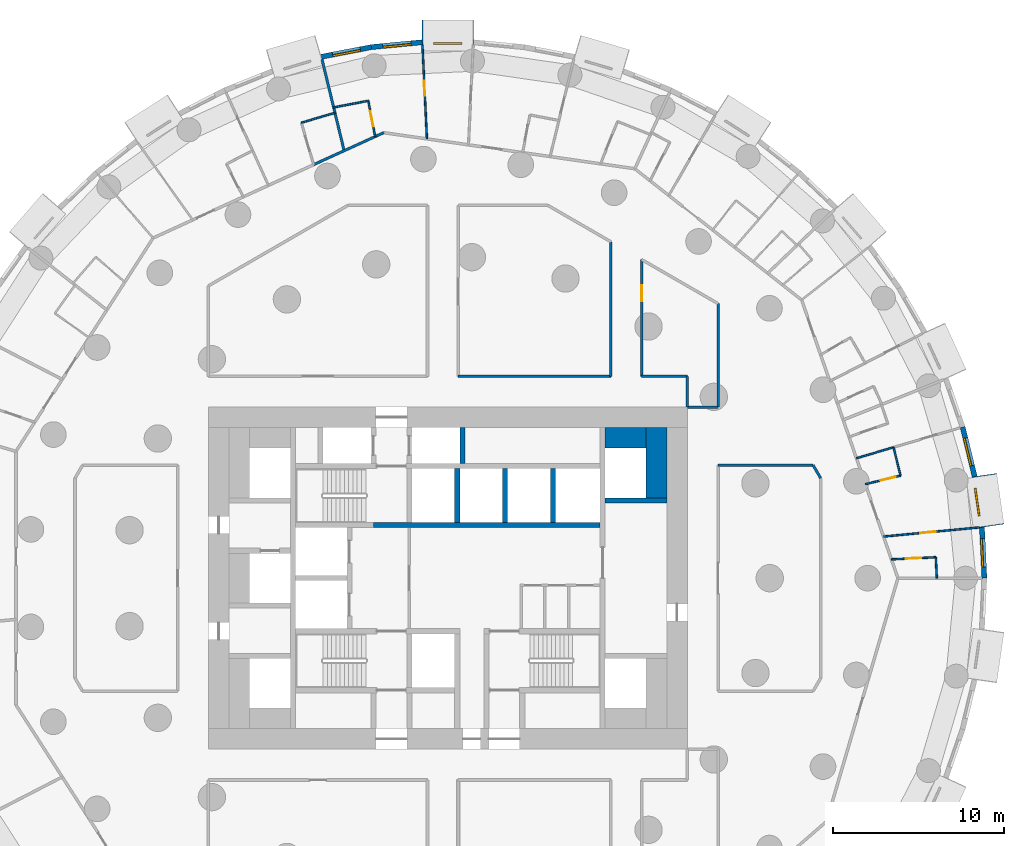
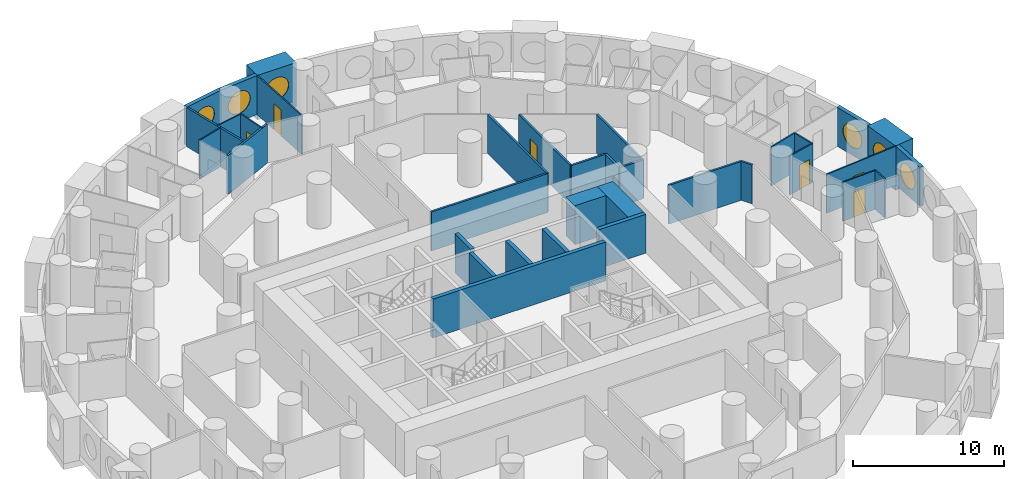
# One storey, part 8 of 12: 35 walls, 6 doors, 6 windows, 12 openings.
"""IFC4 building model written with IfcOpenShell, lengths in metres."""

from ifc_helpers import new_model, si_unit, direction, frame, frame_2d, origin, origin_2d, place, context, subcontext, project, spatial, rectangle, circle, extrude, material, layer, layer_set, type_object, element, fill, save


model = new_model("IFC4")

# Units and contexts
model_context = context("Model", 3, precision=1e-05, world=origin(), true_north=direction((0.0, 1.0)))
body_context = subcontext(model_context, "Body", "Model", "MODEL_VIEW")
ifc_project = project(units=[si_unit("LENGTHUNIT", "METRE"), si_unit("AREAUNIT", "SQUARE_METRE"), si_unit("VOLUMEUNIT", "CUBIC_METRE"), si_unit("PLANEANGLEUNIT", "RADIAN"), si_unit("MASSUNIT", "GRAM", prefix="KILO")], contexts=[model_context])

# Site, building, storey
site_placement = place(None, origin())
site = spatial("IfcSite", under=ifc_project, at=site_placement, CompositionType="ELEMENT")
building_placement = place(site_placement, origin())
building = spatial("IfcBuilding", under=site, at=building_placement, Name="Tracery Tower", CompositionType="ELEMENT")
storey_placement = place(building_placement, frame((0.0, 0.0, 46.199951171875)))
storey = spatial("IfcBuildingStorey", under=building, at=storey_placement, Name="L10", CompositionType="ELEMENT", Elevation=46.199951171875)

# Walls
ifc_material_1 = material(Name="Concrete C60/75", Category="concrete")
ifc_layer_1 = layer(ifc_material_1, 1.199951171875)
ifc_layer_set_1 = layer_set([ifc_layer_1], Name="Core strip wall 1200 C60")
wall_type_1 = type_object("IfcWallType", Name="Core strip wall 1200 C60", PredefinedType="SOLIDWALL", material=ifc_layer_set_1)
wall_1_placement = place(storey_placement, frame((12.199951171875, 4.699951171875, 0.0), z_axis=(0.0, 0.0, 1.0), x_axis=(0.0, 1.0, 0.0)))
element("IfcWall", 1, at=wall_1_placement, inside=storey, type_object=wall_type_1, Name="L10 wing strip +1 4.55", PredefinedType="SOLIDWALL", context=body_context, shape_type="SweptSolid", body=[
    extrude(rectangle(XDim=4.10009765625, YDim=1.199951171875, at=frame_2d((2.050048828125, 0.0))), origin(), (0.0, 0.0, 1.0), 3.150146484375),
])
wall_2_placement = place(storey_placement, frame((9.199951171875, 8.199951171875, 0.0), z_axis=(0.0, 0.0, 1.0), x_axis=(1.0, 0.0, 0.0)))
element("IfcWall", 2, at=wall_2_placement, inside=storey, type_object=wall_type_1, Name="L10 wing corner +1 +8.2", PredefinedType="SOLIDWALL", context=body_context, shape_type="SweptSolid", body=[
    extrude(rectangle(XDim=2.400146484375, YDim=1.199951171875, at=frame_2d((1.2001953125, 0.0))), origin(), (0.0, 0.0, 1.0), 3.150146484375),
])

# Wall, opening, window
ifc_material_2 = material(Name="Precast concrete C50/60", Category="concrete")
ifc_layer_2 = layer(ifc_material_2, 1.449951171875)
ifc_layer_set_2 = layer_set([ifc_layer_2], Name="Deep-set bay unit 3000 x 3600, slab edge 450")
wall_type_2 = type_object("IfcWallType", Name="Deep-set bay unit 3000 x 3600, slab edge 450", PredefinedType="ELEMENTEDWALL", material=ifc_layer_set_2)
wall_3_placement = place(storey_placement, frame((31.802490234375, 3.05712890625, -0.449951171875), z_axis=(0.0, 0.0, 1.0), x_axis=(-0.142332746704, 0.989818866872, 0.0)))
wall_3 = element("IfcWall", 3, at=wall_3_placement, inside=storey, type_object=wall_type_2, Name="Deep-set bay unit 2 at L10", PredefinedType="ELEMENTEDWALL", context=body_context, shape_type="SweptSolid", body=[
    extrude(rectangle(XDim=3.0, YDim=1.449951171875, at=frame_2d((1.5, 0.0))), origin(), (0.0, 0.0, 1.0), 3.60009765625),
])
opening_1_placement = place(wall_3_placement, frame((1.5, 0.0, 2.0)))
opening_1 = element("IfcOpeningElement", 4, at=opening_1_placement, cuts=wall_3, Name="Opening WN1", PredefinedType="OPENING", context=body_context, shape_type="SweptSolid", body=[
    extrude(circle(Radius=0.9000244140625, at=origin_2d()), frame((0.0, 0.73486328125, 0.0), z_axis=(0.0, -1.0, 0.0), x_axis=(1.0, 0.0, 0.0)), (0.0, 0.0, 1.0), 1.469970703125),
])
ifc_material_3 = material(Name="Aluminium frame with tinted double glazing", Category="aluminium")
window_type = type_object("IfcWindowType", Name="Round window 1800", PartitioningType="SINGLE_PANEL", PredefinedType="WINDOW", material=ifc_material_3)
window_1_placement = place(opening_1_placement, origin())
window_1 = element("IfcWindow", 5, at=window_1_placement, inside=storey, type_object=window_type, Name="Round window 2 at L10", OverallHeight=1.800048828125, OverallWidth=1.800048828125, PartitioningType="SINGLE_PANEL", PredefinedType="WINDOW", context=body_context, shape_type="SweptSolid", body=[
    extrude(circle(Radius=0.9000244140625, at=origin_2d()), frame((0.0, 0.69482421875, 0.0), z_axis=(0.0, -1.0, 0.0), x_axis=(1.0, 0.0, 0.0)), (0.0, 0.0, 1.0), 0.10009765625),
])
fill(opening_1, window_1)

wall_4_placement = place(storey_placement, frame((1.5, 31.913818359375, -0.449951171875), z_axis=(0.0, 0.0, 1.0), x_axis=(-1.0, 0.0, 0.0)))
wall_4 = element("IfcWall", 6, at=wall_4_placement, inside=storey, type_object=wall_type_2, Name="Deep-set bay unit 17 at L10", PredefinedType="ELEMENTEDWALL", context=body_context, shape_type="SweptSolid", body=[
    extrude(rectangle(XDim=3.0, YDim=1.449951171875, at=frame_2d((1.5, 0.0))), origin(), (0.0, 0.0, 1.0), 3.60009765625),
])
opening_2_placement = place(wall_4_placement, frame((1.5, 0.0, 2.0)))
opening_2 = element("IfcOpeningElement", 7, at=opening_2_placement, cuts=wall_4, Name="Opening WN1", PredefinedType="OPENING", context=body_context, shape_type="SweptSolid", body=[
    extrude(circle(Radius=0.9000244140625, at=origin_2d()), frame((0.0, 0.73486328125, 0.0), z_axis=(0.0, -1.0, 0.0), x_axis=(1.0, 0.0, 0.0)), (0.0, 0.0, 1.0), 1.469970703125),
])
window_2_placement = place(opening_2_placement, origin())
window_2 = element("IfcWindow", 8, at=window_2_placement, inside=storey, type_object=window_type, Name="Round window 17 at L10", OverallHeight=1.800048828125, OverallWidth=1.800048828125, PartitioningType="SINGLE_PANEL", PredefinedType="WINDOW", context=body_context, shape_type="SweptSolid", body=[
    extrude(circle(Radius=0.9000244140625, at=origin_2d()), frame((0.0, 0.69482421875, 0.0), z_axis=(0.0, -1.0, 0.0), x_axis=(1.0, 0.0, 0.0)), (0.0, 0.0, 1.0), 0.10009765625),
])
fill(opening_2, window_2)

ifc_material_4 = material(Name="Precast concrete C50/60", Category="concrete")
ifc_layer_3 = layer(ifc_material_4, 0.300048828125)
ifc_layer_set_3 = layer_set([ifc_layer_3], Name="Facade panel 3000 x 3150")
wall_type_3 = type_object("IfcWallType", Name="Facade panel 3000 x 3150", PredefinedType="SOLIDWALL", material=ifc_layer_set_3)
wall_5_placement = place(storey_placement, frame((31.37451171875, 0.0, 0.0), z_axis=(0.0, 0.0, 1.0), x_axis=(-0.047604077644, 0.998866283239, 0.0)))
wall_5 = element("IfcWall", 9, at=wall_5_placement, inside=storey, type_object=wall_type_3, Name="Facade panel 1 at L10", PredefinedType="SOLIDWALL", context=body_context, shape_type="SweptSolid", body=[
    extrude(rectangle(XDim=2.979736328125, YDim=0.300048828125, at=frame_2d((1.48974609375, 0.0))), origin(), (0.0, 0.0, 1.0), 3.150146484375),
])
opening_3_placement = place(wall_5_placement, frame((1.48974609375, 0.0, 1.5498046875)))
opening_3 = element("IfcOpeningElement", 10, at=opening_3_placement, cuts=wall_5, Name="Opening WN1", PredefinedType="OPENING", context=body_context, shape_type="SweptSolid", body=[
    extrude(circle(Radius=0.9000244140625, at=origin_2d()), frame((0.0, 0.159912109375, 0.0), z_axis=(0.0, -1.0, 0.0), x_axis=(1.0, 0.0, 0.0)), (0.0, 0.0, 1.0), 0.320068359375),
])
window_3_placement = place(opening_3_placement, origin())
window_3 = element("IfcWindow", 11, at=window_3_placement, inside=storey, type_object=window_type, Name="Round window 1 at L10", OverallHeight=1.800048828125, OverallWidth=1.800048828125, PartitioningType="SINGLE_PANEL", PredefinedType="WINDOW", context=body_context, shape_type="SweptSolid", body=[
    extrude(circle(Radius=0.9000244140625, at=origin_2d()), frame((0.0, 0.1201171875, 0.0), z_axis=(0.0, -1.0, 0.0), x_axis=(1.0, 0.0, 0.0)), (0.0, 0.0, 1.0), 0.10009765625),
])
fill(opening_3, window_3)

wall_6_placement = place(storey_placement, frame((30.805908203125, 5.943603515625, 0.0), z_axis=(0.0, 0.0, 1.0), x_axis=(-0.235743081534, 0.971815414319, 0.0)))
wall_6 = element("IfcWall", 12, at=wall_6_placement, inside=storey, type_object=wall_type_3, Name="Facade panel 3 at L10", PredefinedType="SOLIDWALL", context=body_context, shape_type="SweptSolid", body=[
    extrude(rectangle(XDim=2.9794921875, YDim=0.300048828125, at=frame_2d((1.48974609375, 0.0))), origin(), (0.0, 0.0, 1.0), 3.150146484375),
])
opening_4_placement = place(wall_6_placement, frame((1.48974609375, 0.0, 1.5498046875)))
opening_4 = element("IfcOpeningElement", 13, at=opening_4_placement, cuts=wall_6, Name="Opening WN1", PredefinedType="OPENING", context=body_context, shape_type="SweptSolid", body=[
    extrude(circle(Radius=0.9000244140625, at=origin_2d()), frame((0.0, 0.159912109375, 0.0), z_axis=(0.0, -1.0, 0.0), x_axis=(1.0, 0.0, 0.0)), (0.0, 0.0, 1.0), 0.320068359375),
])
window_4_placement = place(opening_4_placement, origin())
window_4 = element("IfcWindow", 14, at=window_4_placement, inside=storey, type_object=window_type, Name="Round window 3 at L10", OverallHeight=1.800048828125, OverallWidth=1.800048828125, PartitioningType="SINGLE_PANEL", PredefinedType="WINDOW", context=body_context, shape_type="SweptSolid", body=[
    extrude(circle(Radius=0.9000244140625, at=origin_2d()), frame((0.0, 0.1201171875, 0.0), z_axis=(0.0, -1.0, 0.0), x_axis=(1.0, 0.0, 0.0)), (0.0, 0.0, 1.0), 0.10009765625),
])
fill(opening_4, window_4)

wall_7_placement = place(storey_placement, frame((-1.498779296875, 31.33837890625, 0.0), z_axis=(0.0, 0.0, 1.0), x_axis=(-0.995473351551, -0.095041077185, 0.0)))
wall_7 = element("IfcWall", 15, at=wall_7_placement, inside=storey, type_object=wall_type_3, Name="Facade panel 18 at L10", PredefinedType="SOLIDWALL", context=body_context, shape_type="SweptSolid", body=[
    extrude(rectangle(XDim=2.979736328125, YDim=0.300048828125, at=frame_2d((1.48974609375, 0.0))), origin(), (0.0, 0.0, 1.0), 3.150146484375),
])
opening_5_placement = place(wall_7_placement, frame((1.48974609375, 0.0, 1.5498046875)))
opening_5 = element("IfcOpeningElement", 16, at=opening_5_placement, cuts=wall_7, Name="Opening WN1", PredefinedType="OPENING", context=body_context, shape_type="SweptSolid", body=[
    extrude(circle(Radius=0.9000244140625, at=origin_2d()), frame((0.0, 0.159912109375, 0.0), z_axis=(0.0, -1.0, 0.0), x_axis=(1.0, 0.0, 0.0)), (0.0, 0.0, 1.0), 0.320068359375),
])
window_5_placement = place(opening_5_placement, origin())
window_5 = element("IfcWindow", 17, at=window_5_placement, inside=storey, type_object=window_type, Name="Round window 18 at L10", OverallHeight=1.800048828125, OverallWidth=1.800048828125, PartitioningType="SINGLE_PANEL", PredefinedType="WINDOW", context=body_context, shape_type="SweptSolid", body=[
    extrude(circle(Radius=0.9000244140625, at=origin_2d()), frame((0.0, 0.1201171875, 0.0), z_axis=(0.0, -1.0, 0.0), x_axis=(1.0, 0.0, 0.0)), (0.0, 0.0, 1.0), 0.10009765625),
])
fill(opening_5, window_5)

wall_8_placement = place(storey_placement, frame((-4.465087890625, 31.05517578125, 0.0), z_axis=(0.0, 0.0, 1.0), x_axis=(-0.981924535406, -0.189272836848, 0.0)))
wall_8 = element("IfcWall", 18, at=wall_8_placement, inside=storey, type_object=wall_type_3, Name="Facade panel 19 at L10", PredefinedType="SOLIDWALL", context=body_context, shape_type="SweptSolid", body=[
    extrude(rectangle(XDim=2.979736328125, YDim=0.300048828125, at=frame_2d((1.48974609375, 0.0))), origin(), (0.0, 0.0, 1.0), 3.150146484375),
])
opening_6_placement = place(wall_8_placement, frame((1.48974609375, 0.0, 1.5498046875)))
opening_6 = element("IfcOpeningElement", 19, at=opening_6_placement, cuts=wall_8, Name="Opening WN1", PredefinedType="OPENING", context=body_context, shape_type="SweptSolid", body=[
    extrude(circle(Radius=0.9000244140625, at=origin_2d()), frame((0.0, 0.159912109375, 0.0), z_axis=(0.0, -1.0, 0.0), x_axis=(1.0, 0.0, 0.0)), (0.0, 0.0, 1.0), 0.320068359375),
])
window_6_placement = place(opening_6_placement, origin())
window_6 = element("IfcWindow", 20, at=window_6_placement, inside=storey, type_object=window_type, Name="Round window 19 at L10", OverallHeight=1.800048828125, OverallWidth=1.800048828125, PartitioningType="SINGLE_PANEL", PredefinedType="WINDOW", context=body_context, shape_type="SweptSolid", body=[
    extrude(circle(Radius=0.9000244140625, at=origin_2d()), frame((0.0, 0.1201171875, 0.0), z_axis=(0.0, -1.0, 0.0), x_axis=(1.0, 0.0, 0.0)), (0.0, 0.0, 1.0), 0.10009765625),
])
fill(opening_6, window_6)

# Wall, opening, door
ifc_material_5 = material(Name="Plasterboard on steel studs", Category="steel")
ifc_layer_4 = layer(ifc_material_5, 0.10009765625)
ifc_layer_set_4 = layer_set([ifc_layer_4], Name="Partition 100 stud")
wall_type_4 = type_object("IfcWallType", Name="Partition 100 stud", PredefinedType="PARTITIONING", material=ifc_layer_set_4)
wall_9_placement = place(storey_placement, frame((25.47705078125, 2.43310546875, 0.0), z_axis=(0.0, 0.0, 1.0), x_axis=(0.995478505054, 0.094987083206, 0.0)))
wall_9 = element("IfcWall", 21, at=wall_9_placement, inside=storey, type_object=wall_type_4, Name="Stud partition RA2-060", PredefinedType="PARTITIONING", context=body_context, shape_type="SweptSolid", body=[
    extrude(rectangle(XDim=5.63134765625, YDim=0.10009765625, at=frame_2d((2.815673828125, 0.0))), origin(), (0.0, 0.0, 1.0), 3.150146484375),
])
opening_7_placement = place(wall_9_placement, frame((2.1494140625, 0.0, 0.0)))
opening_7 = element("IfcOpeningElement", 22, at=opening_7_placement, cuts=wall_9, Name="Opening RA2-11", PredefinedType="OPENING", context=body_context, shape_type="SweptSolid", body=[
    extrude(rectangle(XDim=0.89990234375, YDim=2.10009765625, at=frame_2d((0.449951171875, 1.050048828125))), frame((0.0, 0.050048828125, 0.0), z_axis=(0.0, -1.0, 0.0), x_axis=(1.0, 0.0, 0.0)), (0.0, 0.0, 1.0), 0.10009765625),
])
ifc_material_6 = material(Name="Timber door leaf", Category="wood")
door_type_1 = type_object("IfcDoorType", Name="Door bedroom 900", OperationType="NOTDEFINED", PredefinedType="DOOR", material=ifc_material_6)
door_1_placement = place(opening_7_placement, origin())
door_1 = element("IfcDoor", 23, at=door_1_placement, inside=storey, type_object=door_type_1, Name="Bedroom door RA2-11", OperationType="SINGLE_SWING_RIGHT", OverallHeight=2.10009765625, OverallWidth=0.89990234375, PredefinedType="DOOR", context=body_context, shape_type="SweptSolid", body=[
    extrude(rectangle(XDim=0.89990234375, YDim=2.10009765625, at=frame_2d((0.449951171875, 1.050048828125))), frame((0.0, 0.02490234375, 0.0), z_axis=(0.0, -1.0, 0.0), x_axis=(1.0, 0.0, 0.0)), (0.0, 0.0, 1.0), 0.050048828125),
])
fill(opening_7, door_1)

wall_10_placement = place(storey_placement, frame((-1.486083984375, 31.18896484375, 0.0), z_axis=(0.0, 0.0, 1.0), x_axis=(0.047567255643, -0.998868037426, 0.0)))
wall_10 = element("IfcWall", 24, at=wall_10_placement, inside=storey, type_object=wall_type_4, Name="Stud partition RA2-094", PredefinedType="PARTITIONING", context=body_context, shape_type="SweptSolid", body=[
    extrude(rectangle(XDim=5.50732421875, YDim=0.10009765625, at=frame_2d((2.753662109375, 0.0))), origin(), (0.0, 0.0, 1.0), 3.150146484375),
])
opening_8_placement = place(wall_10_placement, frame((2.09326171875, 0.0, 0.0)))
opening_8 = element("IfcOpeningElement", 25, at=opening_8_placement, cuts=wall_10, Name="Opening RA2-32", PredefinedType="OPENING", context=body_context, shape_type="SweptSolid", body=[
    extrude(rectangle(XDim=0.89990234375, YDim=2.10009765625, at=frame_2d((0.449951171875, 1.050048828125))), frame((0.0, 0.050048828125, 0.0), z_axis=(0.0, -1.0, 0.0), x_axis=(1.0, 0.0, 0.0)), (0.0, 0.0, 1.0), 0.10009765625),
])
door_2_placement = place(opening_8_placement, origin())
door_2 = element("IfcDoor", 26, at=door_2_placement, inside=storey, type_object=door_type_1, Name="Bedroom door RA2-32", OperationType="SINGLE_SWING_RIGHT", OverallHeight=2.10009765625, OverallWidth=0.89990234375, PredefinedType="DOOR", context=body_context, shape_type="SweptSolid", body=[
    extrude(rectangle(XDim=0.89990234375, YDim=2.10009765625, at=frame_2d((0.449951171875, 1.050048828125))), frame((0.0, 0.02490234375, 0.0), z_axis=(0.0, -1.0, 0.0), x_axis=(1.0, 0.0, 0.0)), (0.0, 0.0, 1.0), 0.050048828125),
])
fill(opening_8, door_2)

ifc_material_7 = material(Name="Plasterboard on steel studs", Category="steel")
ifc_layer_5 = layer(ifc_material_7, 0.10009765625)
ifc_layer_set_5 = layer_set([ifc_layer_5], Name="Partition 100 wet wall")
wall_type_5 = type_object("IfcWallType", Name="Partition 100 wet wall", PredefinedType="PARTITIONING", material=ifc_layer_set_5)
wall_11_placement = place(storey_placement, frame((24.416015625, 5.4970703125, 0.0), z_axis=(0.0, 0.0, 1.0), x_axis=(0.971866967279, 0.23553046069, 0.0)))
wall_11 = element("IfcWall", 27, at=wall_11_placement, inside=storey, type_object=wall_type_5, Name="Wet wall RA2-058", PredefinedType="PARTITIONING", context=body_context, shape_type="SweptSolid", body=[
    extrude(rectangle(XDim=2.109375, YDim=0.10009765625, at=frame_2d((1.0546875, 0.0))), origin(), (0.0, 0.0, 1.0), 3.150146484375),
])
opening_9_placement = place(wall_11_placement, frame((0.905029296875, 0.0, 0.0)))
opening_9 = element("IfcOpeningElement", 28, at=opening_9_placement, cuts=wall_11, Name="Opening RA2-10", PredefinedType="OPENING", context=body_context, shape_type="SweptSolid", body=[
    extrude(rectangle(XDim=0.89990234375, YDim=2.0, at=frame_2d((0.449951171875, 1.0))), frame((0.0, 0.050048828125, 0.0), z_axis=(0.0, -1.0, 0.0), x_axis=(1.0, 0.0, 0.0)), (0.0, 0.0, 1.0), 0.10009765625),
])
ifc_material_8 = material(Name="Timber door leaf", Category="wood")
door_type_2 = type_object("IfcDoorType", Name="Door shower room 900", OperationType="NOTDEFINED", PredefinedType="DOOR", material=ifc_material_8)
door_3_placement = place(opening_9_placement, origin())
door_3 = element("IfcDoor", 29, at=door_3_placement, inside=storey, type_object=door_type_2, Name="Shower room door RA2-10", OperationType="SINGLE_SWING_RIGHT", OverallHeight=2.0, OverallWidth=0.89990234375, PredefinedType="DOOR", context=body_context, shape_type="SweptSolid", body=[
    extrude(rectangle(XDim=0.89990234375, YDim=2.0, at=frame_2d((0.449951171875, 1.0))), frame((0.0, 0.02490234375, 0.0), z_axis=(0.0, -1.0, 0.0), x_axis=(1.0, 0.0, 0.0)), (0.0, 0.0, 1.0), 0.050048828125),
])
fill(opening_9, door_3)

# Walls
wall_12_placement = place(storey_placement, frame((26.06396484375, 7.653076171875, 0.0), z_axis=(0.0, 0.0, 1.0), x_axis=(0.235530444604, -0.971866971177, 0.0)))
element("IfcWall", 30, at=wall_12_placement, inside=storey, type_object=wall_type_5, Name="Wet wall RA2-059", PredefinedType="PARTITIONING", context=body_context, shape_type="SweptSolid", body=[
    extrude(rectangle(XDim=1.707275390625, YDim=0.10009765625, at=frame_2d((0.853515625, 0.0))), origin(), (0.0, 0.0, 1.0), 3.150146484375),
])
wall_13_placement = place(storey_placement, frame((23.89111328125, 7.014892578125, 0.0), z_axis=(0.0, 0.0, 1.0), x_axis=(0.959471865828, 0.281804433402, 0.0)))
element("IfcWall", 31, at=wall_13_placement, inside=storey, type_object=wall_type_5, Name="Wet wall RA2-062", PredefinedType="PARTITIONING", context=body_context, shape_type="SweptSolid", body=[
    extrude(rectangle(XDim=2.2646484375, YDim=0.10009765625, at=frame_2d((1.13232421875, 0.0))), origin(), (0.0, 0.0, 1.0), 3.150146484375),
])
wall_14_placement = place(storey_placement, frame((28.532958984375, 1.222900390625, 0.0), z_axis=(0.0, 0.0, 1.0), x_axis=(0.048256750126, -0.99883496438, 0.0)))
element("IfcWall", 32, at=wall_14_placement, inside=storey, type_object=wall_type_5, Name="Wet wall RA2-063", PredefinedType="PARTITIONING", context=body_context, shape_type="SweptSolid", body=[
    extrude(rectangle(XDim=1.224365234375, YDim=0.10009765625, at=frame_2d((0.6123046875, 0.0))), origin(), (0.0, 0.0, 1.0), 3.150146484375),
])

# Wall, opening, door
wall_15_placement = place(storey_placement, frame((25.93798828125, 1.10009765625, 0.0), z_axis=(0.0, 0.0, 1.0), x_axis=(0.998882127028, 0.047270459111, 0.0)))
wall_15 = element("IfcWall", 33, at=wall_15_placement, inside=storey, type_object=wall_type_5, Name="Wet wall RA2-064", PredefinedType="PARTITIONING", context=body_context, shape_type="SweptSolid", body=[
    extrude(rectangle(XDim=2.597900390625, YDim=0.10009765625, at=frame_2d((1.298828125, 0.0))), origin(), (0.0, 0.0, 1.0), 3.150146484375),
])
opening_10_placement = place(wall_15_placement, frame((0.848876953125, 0.0, 0.0)))
opening_10 = element("IfcOpeningElement", 34, at=opening_10_placement, cuts=wall_15, Name="Opening RA2-12", PredefinedType="OPENING", context=body_context, shape_type="SweptSolid", body=[
    extrude(rectangle(XDim=0.89990234375, YDim=2.0400390625, at=frame_2d((0.449951171875, 1.02001953125))), frame((0.0, 0.050048828125, 0.0), z_axis=(0.0, -1.0, 0.0), x_axis=(1.0, 0.0, 0.0)), (0.0, 0.0, 1.0), 0.10009765625),
])
ifc_material_9 = material(Name="Timber door leaf", Category="wood")
door_type_3 = type_object("IfcDoorType", Name="Door en-suite 900", OperationType="NOTDEFINED", PredefinedType="DOOR", material=ifc_material_9)
door_4_placement = place(opening_10_placement, origin())
door_4 = element("IfcDoor", 35, at=door_4_placement, inside=storey, type_object=door_type_3, Name="En-suite door RA2-12", OperationType="SINGLE_SWING_RIGHT", OverallHeight=2.0400390625, OverallWidth=0.89990234375, PredefinedType="DOOR", context=body_context, shape_type="SweptSolid", body=[
    extrude(rectangle(XDim=0.89990234375, YDim=2.0400390625, at=frame_2d((0.449951171875, 1.02001953125))), frame((0.0, 0.02490234375, 0.0), z_axis=(0.0, -1.0, 0.0), x_axis=(1.0, 0.0, 0.0)), (0.0, 0.0, 1.0), 0.050048828125),
])
fill(opening_10, door_4)

wall_16_placement = place(storey_placement, frame((-4.653076171875, 27.9150390625, 0.0), z_axis=(0.0, 0.0, 1.0), x_axis=(0.189463029113, -0.981887855409, 0.0)))
wall_16 = element("IfcWall", 36, at=wall_16_placement, inside=storey, type_object=wall_type_5, Name="Wet wall RA2-098", PredefinedType="PARTITIONING", context=body_context, shape_type="SweptSolid", body=[
    extrude(rectangle(XDim=2.132568359375, YDim=0.10009765625, at=frame_2d((1.06640625, 0.0))), origin(), (0.0, 0.0, 1.0), 3.150146484375),
])
opening_11_placement = place(wall_16_placement, frame((0.61669921875, 0.0, 0.0)))
opening_11 = element("IfcOpeningElement", 37, at=opening_11_placement, cuts=wall_16, Name="Opening RA2-33", PredefinedType="OPENING", context=body_context, shape_type="SweptSolid", body=[
    extrude(rectangle(XDim=0.89990234375, YDim=2.0400390625, at=frame_2d((0.449951171875, 1.02001953125))), frame((0.0, 0.050048828125, 0.0), z_axis=(0.0, -1.0, 0.0), x_axis=(1.0, 0.0, 0.0)), (0.0, 0.0, 1.0), 0.10009765625),
])
door_5_placement = place(opening_11_placement, origin())
door_5 = element("IfcDoor", 38, at=door_5_placement, inside=storey, type_object=door_type_3, Name="En-suite door RA2-33", OperationType="SINGLE_SWING_LEFT", OverallHeight=2.0400390625, OverallWidth=0.89990234375, PredefinedType="DOOR", context=body_context, shape_type="SweptSolid", body=[
    extrude(rectangle(XDim=0.89990234375, YDim=2.0400390625, at=frame_2d((0.449951171875, 1.02001953125))), frame((0.0, 0.02490234375, 0.0), z_axis=(0.0, -1.0, 0.0), x_axis=(1.0, 0.0, 0.0)), (0.0, 0.0, 1.0), 0.050048828125),
])
fill(opening_11, door_5)

# Walls
wall_17_placement = place(storey_placement, frame((-6.677978515625, 27.52490234375, 0.0), z_axis=(0.0, 0.0, 1.0), x_axis=(0.981940520272, 0.18918989045, 0.0)))
element("IfcWall", 39, at=wall_17_placement, inside=storey, type_object=wall_type_5, Name="Wet wall RA2-099", PredefinedType="PARTITIONING", context=body_context, shape_type="SweptSolid", body=[
    extrude(rectangle(XDim=2.062255859375, YDim=0.10009765625, at=frame_2d((1.03125, 0.0))), origin(), (0.0, 0.0, 1.0), 3.150146484375),
])
wall_18_placement = place(storey_placement, frame((-8.56494140625, 26.634033203125, 0.0), z_axis=(0.0, 0.0, 1.0), x_axis=(0.959587452417, 0.281410591777, 0.0)))
element("IfcWall", 40, at=wall_18_placement, inside=storey, type_object=wall_type_5, Name="Wet wall RA2-107", PredefinedType="PARTITIONING", context=body_context, shape_type="SweptSolid", body=[
    extrude(rectangle(XDim=2.046630859375, YDim=0.10009765625, at=frame_2d((1.0234375, 0.0))), origin(), (0.0, 0.0, 1.0), 3.150146484375),
])
ifc_material_10 = material(Name="Plasterboard on steel studs", Category="steel")
ifc_layer_6 = layer(ifc_material_10, 0.14990234375)
ifc_layer_set_6 = layer_set([ifc_layer_6], Name="Partition 150 acoustic unit wall")
wall_type_6 = type_object("IfcWallType", Name="Partition 150 acoustic unit wall", PredefinedType="PARTITIONING", material=ifc_layer_set_6)
wall_19_placement = place(storey_placement, frame((-7.361083984375, 30.343994140625, 0.0), z_axis=(0.0, 0.0, 1.0), x_axis=(0.235488368932, -0.971877167186, 0.0)))
element("IfcWall", 41, at=wall_19_placement, inside=storey, type_object=wall_type_6, Name="Unit wall RA2-100", PredefinedType="PARTITIONING", context=body_context, shape_type="SweptSolid", body=[
    extrude(rectangle(XDim=5.507080078125, YDim=0.14990234375, at=frame_2d((2.75341796875, 0.0))), origin(), (0.0, 0.0, 1.0), 3.150146484375),
])
ifc_material_11 = material(Name="Plasterboard on steel studs", Category="steel")
ifc_layer_7 = layer(ifc_material_11, 0.14990234375)
ifc_layer_set_7 = layer_set([ifc_layer_7], Name="Partition 150 corridor wall")
wall_type_7 = type_object("IfcWallType", Name="Partition 150 corridor wall", PredefinedType="PARTITIONING", material=ifc_layer_set_7)
wall_20_placement = place(storey_placement, frame((0.60400390625, 11.800048828125, 0.0), z_axis=(0.0, 0.0, 1.0), x_axis=(1.0, 0.0, 0.0)))
element("IfcWall", 42, at=wall_20_placement, inside=storey, type_object=wall_type_7, Name="Corridor wall RA2-002", PredefinedType="PARTITIONING", context=body_context, shape_type="SweptSolid", body=[
    extrude(rectangle(XDim=8.93603515625, YDim=0.14990234375, at=frame_2d((4.468017578125, 0.0))), origin(), (0.0, 0.0, 1.0), 3.150146484375),
])
wall_21_placement = place(storey_placement, frame((11.33203125, 11.800048828125, 0.0), z_axis=(0.0, 0.0, 1.0), x_axis=(1.0, 0.0, 0.0)))
element("IfcWall", 43, at=wall_21_placement, inside=storey, type_object=wall_type_7, Name="Corridor wall RA2-003", PredefinedType="PARTITIONING", context=body_context, shape_type="SweptSolid", body=[
    extrude(rectangle(XDim=2.66796875, YDim=0.14990234375, at=frame_2d((1.333984375, 0.0))), origin(), (0.0, 0.0, 1.0), 3.150146484375),
])
for number, where, z_axis, x_axis, name in (
    (44, (14.0, 10.0, 0.0), (0.0, 0.0, 1.0), (0.0, 1.0, 0.0), "Corridor wall RA2-004"),
    (45, (14.0, 10.0, 0.0), (0.0, 0.0, 1.0), (1.0, 0.0, 0.0), "Corridor wall RA2-009"),
):
    element("IfcWall", number, at=place(storey_placement, frame(where, z_axis=z_axis, x_axis=x_axis)), inside=storey, type_object=wall_type_7, Name=name, PredefinedType="PARTITIONING", context=body_context, shape_type="SweptSolid", body=[
        extrude(rectangle(XDim=1.800048828125, YDim=0.14990234375, at=frame_2d((0.89990234375, 0.0))), origin(), (0.0, 0.0, 1.0), 3.150146484375),
    ])
wall_22_placement = place(storey_placement, frame((15.800048828125, 9.99609375, 0.0), z_axis=(0.0, 0.0, 1.0), x_axis=(0.0, 1.0, 0.0)))
element("IfcWall", 46, at=wall_22_placement, inside=storey, type_object=wall_type_7, Name="Corridor wall RA2-013", PredefinedType="PARTITIONING", context=body_context, shape_type="SweptSolid", body=[
    extrude(rectangle(XDim=6.056884765625, YDim=0.14990234375, at=frame_2d((3.0283203125, 0.0))), origin(), (0.0, 0.0, 1.0), 3.150146484375),
])
wall_23_placement = place(storey_placement, frame((21.364013671875, 6.60009765625, 0.0), z_axis=(0.0, 0.0, 1.0), x_axis=(0.500277597875, -0.865865073245, 0.0)))
element("IfcWall", 47, at=wall_23_placement, inside=storey, type_object=wall_type_7, Name="Corridor wall RA2-018", PredefinedType="PARTITIONING", context=body_context, shape_type="SweptSolid", body=[
    extrude(rectangle(XDim=0.87548828125, YDim=0.14990234375, at=frame_2d((0.437744140625, 0.0))), origin(), (0.0, 0.0, 1.0), 3.150146484375),
])
wall_24_placement = place(storey_placement, frame((15.800048828125, 6.60009765625, 0.0), z_axis=(0.0, 0.0, 1.0), x_axis=(1.0, 0.0, 0.0)))
element("IfcWall", 48, at=wall_24_placement, inside=storey, type_object=wall_type_7, Name="Corridor wall RA2-019", PredefinedType="PARTITIONING", context=body_context, shape_type="SweptSolid", body=[
    extrude(rectangle(XDim=5.56396484375, YDim=0.14990234375, at=frame_2d((2.781982421875, 0.0))), origin(), (0.0, 0.0, 1.0), 3.150146484375),
])
wall_25_placement = place(storey_placement, frame((9.535888671875, 11.800048828125, 0.0), z_axis=(0.0, 0.0, 1.0), x_axis=(0.0, 1.0, 0.0)))
element("IfcWall", 49, at=wall_25_placement, inside=storey, type_object=wall_type_7, Name="Corridor wall RA2-028", PredefinedType="PARTITIONING", context=body_context, shape_type="SweptSolid", body=[
    extrude(rectangle(XDim=7.868896484375, YDim=0.14990234375, at=frame_2d((3.9345703125, 0.0))), origin(), (0.0, 0.0, 1.0), 3.150146484375),
])

# Wall, opening, door
wall_26_placement = place(storey_placement, frame((11.3359375, 11.800048828125, 0.0), z_axis=(0.0, 0.0, 1.0), x_axis=(0.0, 1.0, 0.0)))
wall_26 = element("IfcWall", 50, at=wall_26_placement, inside=storey, type_object=wall_type_7, Name="Corridor wall RA2-033", PredefinedType="PARTITIONING", context=body_context, shape_type="SweptSolid", body=[
    extrude(rectangle(XDim=6.829833984375, YDim=0.14990234375, at=frame_2d((3.4150390625, 0.0))), origin(), (0.0, 0.0, 1.0), 3.150146484375),
])
opening_12_placement = place(wall_26_placement, frame((4.389892578125, 0.0, 0.0)))
opening_12 = element("IfcOpeningElement", 51, at=opening_12_placement, cuts=wall_26, Name="Opening RA2-03", PredefinedType="OPENING", context=body_context, shape_type="SweptSolid", body=[
    extrude(rectangle(XDim=0.949951171875, YDim=2.10009765625, at=frame_2d((0.47509765625, 1.050048828125))), frame((0.0, 0.074951171875, 0.0), z_axis=(0.0, -1.0, 0.0), x_axis=(1.0, 0.0, 0.0)), (0.0, 0.0, 1.0), 0.14990234375),
])
ifc_material_12 = material(Name="Timber door leaf", Category="wood")
door_type_4 = type_object("IfcDoorType", Name="Door store 950", OperationType="NOTDEFINED", PredefinedType="DOOR", material=ifc_material_12)
door_6_placement = place(opening_12_placement, origin())
door_6 = element("IfcDoor", 52, at=door_6_placement, inside=storey, type_object=door_type_4, Name="Store door RA2-03", OperationType="SINGLE_SWING_LEFT", OverallHeight=2.10009765625, OverallWidth=0.949951171875, PredefinedType="DOOR", context=body_context, shape_type="SweptSolid", body=[
    extrude(rectangle(XDim=0.949951171875, YDim=2.10009765625, at=frame_2d((0.47509765625, 1.050048828125))), frame((0.0, 0.02490234375, 0.0), z_axis=(0.0, -1.0, 0.0), x_axis=(1.0, 0.0, 0.0)), (0.0, 0.0, 1.0), 0.050048828125),
])
fill(opening_12, door_6)

# Walls
wall_27_placement = place(storey_placement, frame((-7.849609375, 24.181396484375, 0.0), z_axis=(0.0, 0.0, 1.0), x_axis=(0.909998999892, 0.414610443906, 0.0)))
element("IfcWall", 53, at=wall_27_placement, inside=storey, type_object=wall_type_7, Name="Corridor wall RA2-035", PredefinedType="PARTITIONING", context=body_context, shape_type="SweptSolid", body=[
    extrude(rectangle(XDim=4.50927734375, YDim=0.14990234375, at=frame_2d((2.254638671875, 0.0))), origin(), (0.0, 0.0, 1.0), 3.150146484375),
])
ifc_material_13 = material(Name="Concrete C60/75", Category="concrete")
ifc_layer_8 = layer(ifc_material_13, 0.300048828125)
ifc_layer_set_8 = layer_set([ifc_layer_8], Name="Shaft wall 300 C60")
wall_type_8 = type_object("IfcWallType", Name="Shaft wall 300 C60", PredefinedType="SOLIDWALL", material=ifc_layer_set_8)
for number, where, z_axis, x_axis, name in (
    (54, (0.550048828125, 3.25, 0.0), (0.0, 0.0, 1.0), (0.0, 1.0, 0.0), "L10 HR sep 1"),
    (55, (3.35009765625, 3.25, 0.0), (0.0, 0.0, 1.0), (0.0, 1.0, 0.0), "L10 HR sep 2"),
    (56, (6.14990234375, 3.25, 0.0), (0.0, 0.0, 1.0), (0.0, 1.0, 0.0), "L10 HR sep 3"),
):
    element("IfcWall", number, at=place(storey_placement, frame(where, z_axis=z_axis, x_axis=x_axis)), inside=storey, type_object=wall_type_8, Name=name, PredefinedType="SOLIDWALL", context=body_context, shape_type="SweptSolid", body=[
        extrude(rectangle(XDim=3.14990234375, YDim=0.300048828125, at=frame_2d((1.574951171875, 0.0))), origin(), (0.0, 0.0, 1.0), 3.150146484375),
    ])
wall_28_placement = place(storey_placement, frame((0.85009765625, 6.699951171875, 0.0), z_axis=(0.0, 0.0, 1.0), x_axis=(0.0, 1.0, 0.0)))
element("IfcWall", 57, at=wall_28_placement, inside=storey, type_object=wall_type_8, Name="L10 LR sep 0.85", PredefinedType="SOLIDWALL", context=body_context, shape_type="SweptSolid", body=[
    extrude(rectangle(XDim=2.10009765625, YDim=0.300048828125, at=frame_2d((1.050048828125, 0.0))), origin(), (0.0, 0.0, 1.0), 3.150146484375),
])
wall_29_placement = place(storey_placement, frame((9.199951171875, 4.550048828125, 0.0), z_axis=(0.0, 0.0, 1.0), x_axis=(1.0, 0.0, 0.0)))
element("IfcWall", 58, at=wall_29_placement, inside=storey, type_object=wall_type_8, Name="L10 wing shaft wall +1 +4.55", PredefinedType="SOLIDWALL", context=body_context, shape_type="SweptSolid", body=[
    extrude(rectangle(XDim=3.60009765625, YDim=0.300048828125, at=frame_2d((1.800048828125, 0.0))), origin(), (0.0, 0.0, 1.0), 3.150146484375),
])
ifc_material_14 = material(Name="Concrete C60/75", Category="concrete")
ifc_layer_9 = layer(ifc_material_14, 0.300048828125)
ifc_layer_set_9 = layer_set([ifc_layer_9], Name="Stair wall 300 C60")
wall_type_9 = type_object("IfcWallType", Name="Stair wall 300 C60", PredefinedType="SOLIDWALL", material=ifc_layer_set_9)
wall_30_placement = place(storey_placement, frame((-4.35009765625, 3.10009765625, 0.0), z_axis=(0.0, 0.0, 1.0), x_axis=(1.0, 0.0, 0.0)))
element("IfcWall", 59, at=wall_30_placement, inside=storey, type_object=wall_type_9, Name="L10 row N", PredefinedType="SOLIDWALL", context=body_context, shape_type="SweptSolid", body=[
    extrude(rectangle(XDim=13.25, YDim=0.300048828125, at=frame_2d((6.625, 0.0))), origin(), (0.0, 0.0, 1.0), 3.150146484375),
])

save(model, "model.ifc")
